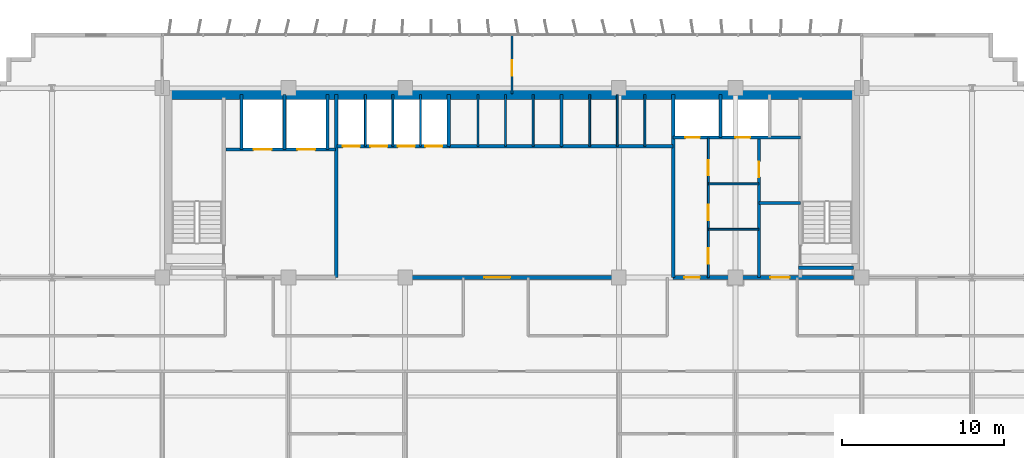
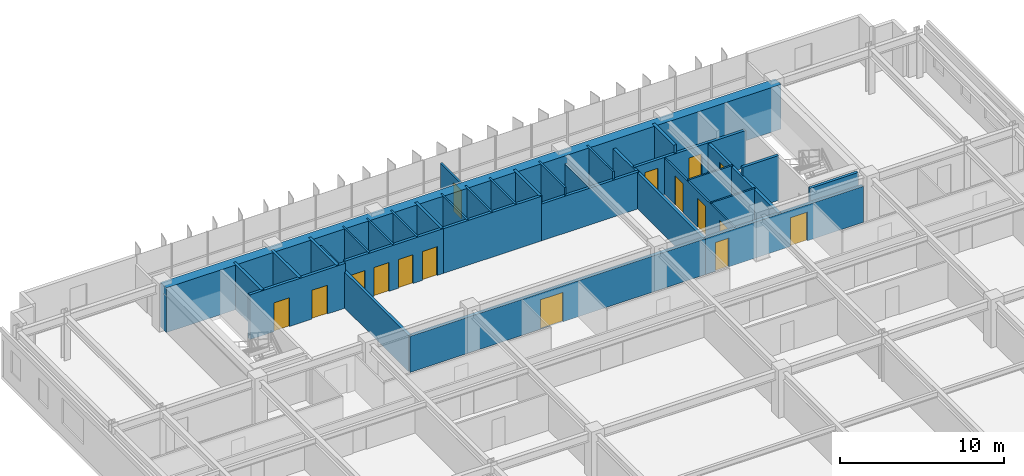
# One storey, part 17 of 21: 32 walls, 16 doors, 16 openings.
"""IFC4 building model written with IfcOpenShell, lengths in metres."""

from ifc_helpers import new_model, si_unit, direction, frame, frame_2d, origin, place, context, subcontext, project, spatial, rectangle, extrude, source, transform, mapped, material, layer, layer_set, type_object, element, fill, save


model = new_model("IFC4")

# Units and contexts
model_context = context("Model", 3, precision=1e-05, world=origin(), true_north=direction((0.0, 1.0)))
body_context = subcontext(model_context, "Body", "Model", "MODEL_VIEW")
ifc_project = project(units=[si_unit("LENGTHUNIT", "METRE"), si_unit("AREAUNIT", "SQUARE_METRE"), si_unit("VOLUMEUNIT", "CUBIC_METRE"), si_unit("PLANEANGLEUNIT", "RADIAN"), si_unit("MASSUNIT", "GRAM", prefix="KILO")], contexts=[model_context])

# Site, building, storey
site_placement = place(None, origin())
site = spatial("IfcSite", under=ifc_project, at=site_placement, CompositionType="ELEMENT")
building_placement = place(site_placement, origin())
building = spatial("IfcBuilding", under=site, at=building_placement, Name="Trelvane Seafront Commons", CompositionType="ELEMENT")
storey_placement = place(building_placement, frame((0.0, 0.0, 34.300048828125)))
storey = spatial("IfcBuildingStorey", under=building, at=storey_placement, Name="L08", CompositionType="ELEMENT", Elevation=34.300048828125)

# Wall, opening, door
ifc_material_1 = material(Name="Concrete C40/50", Category="concrete")
ifc_layer_1 = layer(ifc_material_1, 0.199951171875, Name="ARCH-WALL-FIRE200")
ifc_layer_set_1 = layer_set([ifc_layer_1], Name="Concrete C40/50")
wall_type_1 = type_object("IfcWallType", Name="ARCH-WALL-FIRE200", PredefinedType="PARTITIONING", material=ifc_layer_set_1)
wall_1_placement = place(storey_placement, frame((52.449951171875, 33.39990234375, 0.0), z_axis=(0.0, 0.0, 1.0), x_axis=(0.0, 1.0, 0.0)))
wall_1 = element("IfcWall", 1, at=wall_1_placement, inside=storey, type_object=wall_type_1, Name="W-L08-ST2V-W-033", PredefinedType="PARTITIONING", context=body_context, shape_type="SweptSolid", body=[
    extrude(rectangle(XDim=8.650146484375, YDim=0.199951171875, at=frame_2d((4.3251953125, 0.0))), origin(), (0.0, 0.0, 1.0), 2.68994140625),
])
opening_1_placement = place(wall_1_placement, frame((6.199951171875, 0.0, 0.0)))
opening_1 = element("IfcOpeningElement", 2, at=opening_1_placement, cuts=wall_1, Name="Opening FD-L08-13", PredefinedType="OPENING", context=body_context, shape_type="SweptSolid", body=[
    extrude(rectangle(XDim=0.949951171875, YDim=2.14990234375, at=frame_2d((0.47509765625, 1.074951171875))), frame((0.0, 0.10986328125, 0.0), z_axis=(0.0, -1.0, 0.0), x_axis=(1.0, 0.0, 0.0)), (0.0, 0.0, 1.0), 0.219970703125),
])
ifc_material_2 = material(Name="Powder-coated aluminium frame", Category="aluminium")
door_type_1 = type_object("IfcDoorType", Name="ARCH-DR-FD60-950", OperationType="NOTDEFINED", PredefinedType="DOOR", material=ifc_material_2)
shared_shape_1 = source(origin(), body_context, "Body", "SweptSolid", [
    extrude(rectangle(XDim=0.949951171875, YDim=2.14990234375, at=frame_2d((0.47509765625, 1.074951171875))), frame((0.0, 0.02490234375, 0.0), z_axis=(0.0, -1.0, 0.0), x_axis=(1.0, 0.0, 0.0)), (0.0, 0.0, 1.0), 0.050048828125),
])
door_1_placement = place(opening_1_placement, origin())
door_1 = element("IfcDoor", 3, at=door_1_placement, inside=storey, type_object=door_type_1, Name="L08 Cleaner Store Door", OperationType="SINGLE_SWING_LEFT", OverallHeight=2.14990234375, OverallWidth=0.949951171875, PredefinedType="DOOR", context=body_context, shape_type="MappedRepresentation", body=[
    mapped(shared_shape_1, transform((0.0, 0.0, 0.0), x_axis=(1.0, 0.0, 0.0), y_axis=(0.0, 1.0, 0.0), z_axis=(0.0, 0.0, 1.0), scale=1.0)),
])
fill(opening_1, door_1)

# Wall
wall_2_placement = place(storey_placement, frame((52.449951171875, 38.0, 0.0), z_axis=(0.0, 0.0, 1.0), x_axis=(1.0, 0.0, 0.0)))
element("IfcWall", 4, at=wall_2_placement, inside=storey, type_object=wall_type_1, Name="W-L08-ST2V-N-034", PredefinedType="PARTITIONING", context=body_context, shape_type="SweptSolid", body=[
    extrude(rectangle(XDim=2.550048828125, YDim=0.199951171875, at=frame_2d((1.27490234375, 0.0))), origin(), (0.0, 0.0, 1.0), 3.33984375),
])

# Wall, opening, door
ifc_layer_2 = layer(ifc_material_1, 0.25, Name="ARCH-WALL-FIRE250")
ifc_layer_set_2 = layer_set([ifc_layer_2], Name="Concrete C40/50")
wall_type_2 = type_object("IfcWallType", Name="ARCH-WALL-FIRE250", PredefinedType="PARTITIONING", material=ifc_layer_set_2)
wall_3_placement = place(storey_placement, frame((26.300048828125, 33.39990234375, 0.0), z_axis=(0.0, 0.0, 1.0), x_axis=(1.0, 0.0, 0.0)))
wall_3 = element("IfcWall", 5, at=wall_3_placement, inside=storey, type_object=wall_type_2, Name="W-L08-CS-PAX-029", PredefinedType="PARTITIONING", context=body_context, shape_type="SweptSolid", body=[
    extrude(rectangle(XDim=20.849853515625, YDim=0.25, at=frame_2d((10.4248046875, 0.0))), origin(), (0.0, 0.0, 1.0), 2.68994140625),
])
opening_2_placement = place(wall_3_placement, frame((9.199951171875, 0.0, 0.0)))
opening_2 = element("IfcOpeningElement", 6, at=opening_2_placement, cuts=wall_3, Name="Opening FD-L08-10", PredefinedType="OPENING", context=body_context, shape_type="SweptSolid", body=[
    extrude(rectangle(XDim=1.60009765625, YDim=2.199951171875, at=frame_2d((0.800048828125, 1.10009765625))), frame((0.0, 0.135009765625, 0.0), z_axis=(0.0, -1.0, 0.0), x_axis=(1.0, 0.0, 0.0)), (0.0, 0.0, 1.0), 0.27001953125),
])
door_type_2 = type_object("IfcDoorType", Name="ARCH-DR-FD60-1600", OperationType="DOUBLE_DOOR_SINGLE_SWING", PredefinedType="DOOR", material=ifc_material_2)
shared_shape_2 = source(origin(), body_context, "Body", "SweptSolid", [
    extrude(rectangle(XDim=1.60009765625, YDim=2.199951171875, at=frame_2d((0.800048828125, 1.10009765625))), frame((0.0, 0.02490234375, 0.0), z_axis=(0.0, -1.0, 0.0), x_axis=(1.0, 0.0, 0.0)), (0.0, 0.0, 1.0), 0.050048828125),
])
door_2_placement = place(opening_2_placement, origin())
door_2 = element("IfcDoor", 7, at=door_2_placement, inside=storey, type_object=door_type_2, Name="L08 Passenger Lift Lobby Double Door", OperationType="DOUBLE_DOOR_SINGLE_SWING", OverallHeight=2.199951171875, OverallWidth=1.60009765625, PredefinedType="DOOR", context=body_context, shape_type="MappedRepresentation", body=[
    mapped(shared_shape_2, transform((0.0, 0.0, 0.0), x_axis=(1.0, 0.0, 0.0), y_axis=(0.0, 1.0, 0.0), z_axis=(0.0, 0.0, 1.0), scale=1.0)),
])
fill(opening_2, door_2)

# Wall, openings, doors
wall_4_placement = place(storey_placement, frame((47.14990234375, 33.39990234375, 0.0), z_axis=(0.0, 0.0, 1.0), x_axis=(1.0, 0.0, 0.0)))
wall_4 = element("IfcWall", 8, at=wall_4_placement, inside=storey, type_object=wall_type_2, Name="W-L08-CS-EAST-038", PredefinedType="PARTITIONING", context=body_context, shape_type="SweptSolid", body=[
    extrude(rectangle(XDim=11.150146484375, YDim=0.25, at=frame_2d((5.5751953125, 0.0))), origin(), (0.0, 0.0, 1.0), 2.68994140625),
])
opening_3_placement = place(wall_4_placement, frame((0.699951171875, 0.0, 0.0)))
opening_3 = element("IfcOpeningElement", 9, at=opening_3_placement, cuts=wall_4, Name="Opening FD-L08-17", PredefinedType="OPENING", context=body_context, shape_type="SweptSolid", body=[
    extrude(rectangle(XDim=0.949951171875, YDim=2.14990234375, at=frame_2d((0.47509765625, 1.074951171875))), frame((0.0, 0.135009765625, 0.0), z_axis=(0.0, -1.0, 0.0), x_axis=(1.0, 0.0, 0.0)), (0.0, 0.0, 1.0), 0.27001953125),
])
opening_4_placement = place(wall_4_placement, frame((6.0, 0.0, 0.0)))
opening_4 = element("IfcOpeningElement", 10, at=opening_4_placement, cuts=wall_4, Name="Opening FD-L08-18", PredefinedType="OPENING", context=body_context, shape_type="SweptSolid", body=[
    extrude(rectangle(XDim=1.199951171875, YDim=2.14990234375, at=frame_2d((0.60009765625, 1.074951171875))), frame((0.0, 0.135009765625, 0.0), z_axis=(0.0, -1.0, 0.0), x_axis=(1.0, 0.0, 0.0)), (0.0, 0.0, 1.0), 0.27001953125),
])
door_3_placement = place(opening_3_placement, origin())
door_3 = element("IfcDoor", 11, at=door_3_placement, inside=storey, type_object=door_type_1, Name="L08 Core Service Lobby Door", OperationType="SINGLE_SWING_LEFT", OverallHeight=2.14990234375, OverallWidth=0.949951171875, PredefinedType="DOOR", context=body_context, shape_type="MappedRepresentation", body=[
    mapped(shared_shape_1, transform((0.0, 0.0, 0.0), x_axis=(1.0, 0.0, 0.0), y_axis=(0.0, 1.0, 0.0), z_axis=(0.0, 0.0, 1.0), scale=1.0)),
])
fill(opening_3, door_3)
door_type_3 = type_object("IfcDoorType", Name="ARCH-DR-FD60-1200", OperationType="NOTDEFINED", PredefinedType="DOOR", material=ifc_material_2)
shared_shape_3 = source(origin(), body_context, "Body", "SweptSolid", [
    extrude(rectangle(XDim=1.199951171875, YDim=2.14990234375, at=frame_2d((0.60009765625, 1.074951171875))), frame((0.0, 0.02490234375, 0.0), z_axis=(0.0, -1.0, 0.0), x_axis=(1.0, 0.0, 0.0)), (0.0, 0.0, 1.0), 0.050048828125),
])
door_4_placement = place(opening_4_placement, origin())
door_4 = element("IfcDoor", 12, at=door_4_placement, inside=storey, type_object=door_type_3, Name="L08 East Stair Vestibule Fire Door", OperationType="SINGLE_SWING_RIGHT", OverallHeight=2.14990234375, OverallWidth=1.199951171875, PredefinedType="DOOR", context=body_context, shape_type="MappedRepresentation", body=[
    mapped(shared_shape_3, transform((0.0, 0.0, 0.0), x_axis=(1.0, 0.0, 0.0), y_axis=(0.0, 1.0, 0.0), z_axis=(0.0, 0.0, 1.0), scale=1.0)),
])
fill(opening_4, door_4)

# Walls
ifc_material_3 = material(Name="Gypsum Drywall Acoustic Partition")
ifc_layer_3 = layer(ifc_material_3, 0.1201171875, Name="ARCH-WALL-PART120")
ifc_layer_set_3 = layer_set([ifc_layer_3], Name="Gypsum Drywall Acoustic Partition")
wall_type_3 = type_object("IfcWallType", Name="ARCH-WALL-PART120", PredefinedType="PARTITIONING", material=ifc_layer_set_3)
for number, where, z_axis, x_axis, name in (
    (13, (28.14990234375, 41.5, 0.0), (0.0, 0.0, 1.0), (0.0, 1.0, 0.0), "W-L08-PL-DIV1-016"),
    (14, (29.85009765625, 41.5, 0.0), (0.0, 0.0, 1.0), (0.0, 1.0, 0.0), "W-L08-PL-DIV2-017"),
    (15, (31.550048828125, 41.5, 0.0), (0.0, 0.0, 1.0), (0.0, 1.0, 0.0), "W-L08-PL-DIV3-018"),
    (16, (35.10009765625, 41.5, 0.0), (0.0, 0.0, 1.0), (0.0, 1.0, 0.0), "W-L08-PM-DIV1-020"),
    (17, (36.800048828125, 41.5, 0.0), (0.0, 0.0, 1.0), (0.0, 1.0, 0.0), "W-L08-PM-DIV2-021"),
    (18, (38.5, 41.5, 0.0), (0.0, 0.0, 1.0), (0.0, 1.0, 0.0), "W-L08-PM-DIV3-022"),
    (19, (42.0, 41.5, 0.0), (0.0, 0.0, 1.0), (0.0, 1.0, 0.0), "W-L08-PH-DIV1-025"),
):
    element("IfcWall", number, at=place(storey_placement, frame(where, z_axis=z_axis, x_axis=x_axis)), inside=storey, type_object=wall_type_3, Name=name, PredefinedType="PARTITIONING", context=body_context, shape_type="SweptSolid", body=[
        extrude(rectangle(XDim=3.199951171875, YDim=0.1201171875, at=frame_2d((1.60009765625, 0.0))), origin(), (0.0, 0.0, 1.0), 3.33984375),
    ])
wall_5_placement = place(storey_placement, frame((43.699951171875, 41.5, 0.0), z_axis=(0.0, 0.0, 1.0), x_axis=(0.0, 1.0, 0.0)))
element("IfcWall", 20, at=wall_5_placement, inside=storey, type_object=wall_type_3, Name="W-L08-PH-DIV2-026", PredefinedType="PARTITIONING", context=body_context, shape_type="SweptSolid", body=[
    extrude(rectangle(XDim=3.199951171875, YDim=0.1201171875, at=frame_2d((1.60009765625, 0.0))), origin(), (0.0, 0.0, 1.0), 2.751953125),
])
wall_6_placement = place(storey_placement, frame((45.39990234375, 41.5, 0.0), z_axis=(0.0, 0.0, 1.0), x_axis=(0.0, 1.0, 0.0)))
element("IfcWall", 21, at=wall_6_placement, inside=storey, type_object=wall_type_3, Name="W-L08-PH-DIV3-027", PredefinedType="PARTITIONING", context=body_context, shape_type="SweptSolid", body=[
    extrude(rectangle(XDim=3.199951171875, YDim=0.1201171875, at=frame_2d((1.60009765625, 0.0))), origin(), (0.0, 0.0, 1.0), 3.33984375),
])

# Wall, openings, doors
wall_7_placement = place(storey_placement, frame((49.320068359375, 33.39990234375, 0.0), z_axis=(0.0, 0.0, 1.0), x_axis=(0.0, 1.0, 0.0)))
wall_7 = element("IfcWall", 22, at=wall_7_placement, inside=storey, type_object=wall_type_3, Name="W-L08-CYC3-V-035", PredefinedType="PARTITIONING", context=body_context, shape_type="SweptSolid", body=[
    extrude(rectangle(XDim=8.60009765625, YDim=0.1201171875, at=frame_2d((4.300048828125, 0.0))), origin(), (0.0, 0.0, 1.0), 2.68994140625),
])
opening_5_placement = place(wall_7_placement, frame((0.85009765625, 0.0, 0.0)))
opening_5 = element("IfcOpeningElement", 23, at=opening_5_placement, cuts=wall_7, Name="Opening D-L08-14", PredefinedType="OPENING", context=body_context, shape_type="SweptSolid", body=[
    extrude(rectangle(XDim=0.949951171875, YDim=2.14990234375, at=frame_2d((0.47509765625, 1.074951171875))), frame((0.0, 0.070068359375, 0.0), z_axis=(0.0, -1.0, 0.0), x_axis=(1.0, 0.0, 0.0)), (0.0, 0.0, 1.0), 0.14013671875),
])
opening_6_placement = place(wall_7_placement, frame((3.550048828125, 0.0, 0.0)))
opening_6 = element("IfcOpeningElement", 24, at=opening_6_placement, cuts=wall_7, Name="Opening D-L08-15", PredefinedType="OPENING", context=body_context, shape_type="SweptSolid", body=[
    extrude(rectangle(XDim=0.949951171875, YDim=2.14990234375, at=frame_2d((0.47509765625, 1.074951171875))), frame((0.0, 0.070068359375, 0.0), z_axis=(0.0, -1.0, 0.0), x_axis=(1.0, 0.0, 0.0)), (0.0, 0.0, 1.0), 0.14013671875),
])
opening_7_placement = place(wall_7_placement, frame((6.300048828125, 0.0, 0.0)))
opening_7 = element("IfcOpeningElement", 25, at=opening_7_placement, cuts=wall_7, Name="Opening D-L08-16", PredefinedType="OPENING", context=body_context, shape_type="SweptSolid", body=[
    extrude(rectangle(XDim=0.949951171875, YDim=2.14990234375, at=frame_2d((0.47509765625, 1.074951171875))), frame((0.0, 0.070068359375, 0.0), z_axis=(0.0, -1.0, 0.0), x_axis=(1.0, 0.0, 0.0)), (0.0, 0.0, 1.0), 0.14013671875),
])
ifc_material_4 = material(Name="Acoustic timber door leaf", Category="wood")
door_type_4 = type_object("IfcDoorType", Name="ARCH-DR-INT950", OperationType="NOTDEFINED", PredefinedType="DOOR", material=ifc_material_4)
door_5_placement = place(opening_5_placement, origin())
door_5 = element("IfcDoor", 26, at=door_5_placement, inside=storey, type_object=door_type_4, Name="L08 Accessible WC Door", OperationType="SINGLE_SWING_RIGHT", OverallHeight=2.14990234375, OverallWidth=0.949951171875, PredefinedType="DOOR", context=body_context, shape_type="MappedRepresentation", body=[
    mapped(shared_shape_1, transform((0.0, 0.0, 0.0), x_axis=(1.0, 0.0, 0.0), y_axis=(0.0, 1.0, 0.0), z_axis=(0.0, 0.0, 1.0), scale=1.0)),
])
fill(opening_5, door_5)
door_6_placement = place(opening_6_placement, origin())
door_6 = element("IfcDoor", 27, at=door_6_placement, inside=storey, type_object=door_type_4, Name="L08 Staff WC Door", OperationType="SINGLE_SWING_LEFT", OverallHeight=2.14990234375, OverallWidth=0.949951171875, PredefinedType="DOOR", context=body_context, shape_type="MappedRepresentation", body=[
    mapped(shared_shape_1, transform((0.0, 0.0, 0.0), x_axis=(1.0, 0.0, 0.0), y_axis=(0.0, 1.0, 0.0), z_axis=(0.0, 0.0, 1.0), scale=1.0)),
])
fill(opening_6, door_6)
door_7_placement = place(opening_7_placement, origin())
door_7 = element("IfcDoor", 28, at=door_7_placement, inside=storey, type_object=door_type_4, Name="L08 Electrical Room Door", OperationType="SINGLE_SWING_RIGHT", OverallHeight=2.14990234375, OverallWidth=0.949951171875, PredefinedType="DOOR", context=body_context, shape_type="MappedRepresentation", body=[
    mapped(shared_shape_1, transform((0.0, 0.0, 0.0), x_axis=(1.0, 0.0, 0.0), y_axis=(0.0, 1.0, 0.0), z_axis=(0.0, 0.0, 1.0), scale=1.0)),
])
fill(opening_7, door_7)

# Walls
for number, where, z_axis, x_axis, name in (
    (29, (49.320068359375, 36.3798828125, 0.0), (0.0, 0.0, 1.0), (1.0, 0.0, 0.0), "W-L08-CYC3-H1-036"),
    (30, (49.320068359375, 39.179931640625, 0.0), (0.0, 0.0, 1.0), (1.0, 0.0, 0.0), "W-L08-CYC3-H2-037"),
):
    element("IfcWall", number, at=place(storey_placement, frame(where, z_axis=z_axis, x_axis=x_axis)), inside=storey, type_object=wall_type_3, Name=name, PredefinedType="PARTITIONING", context=body_context, shape_type="SweptSolid", body=[
        extrude(rectangle(XDim=3.1298828125, YDim=0.1201171875, at=frame_2d((1.56494140625, 0.0))), origin(), (0.0, 0.0, 1.0), 2.751953125),
    ])

# Wall, opening, door
wall_8_placement = place(storey_placement, frame((37.199951171875, 44.75, 0.0), z_axis=(0.0, 0.0, 1.0), x_axis=(0.0, 1.0, 0.0)))
wall_8 = element("IfcWall", 31, at=wall_8_placement, inside=storey, type_object=wall_type_3, Name="W-L08-N-MID-DV-052", PredefinedType="PARTITIONING", context=body_context, shape_type="SweptSolid", body=[
    extrude(rectangle(XDim=3.610107421875, YDim=0.1201171875, at=frame_2d((1.80517578125, 0.0))), origin(), (0.0, 0.0, 1.0), 2.68994140625),
])
opening_8_placement = place(wall_8_placement, frame((1.10009765625, 0.0, 0.0)))
opening_8 = element("IfcOpeningElement", 32, at=opening_8_placement, cuts=wall_8, Name="Opening D-L08-26", PredefinedType="OPENING", context=body_context, shape_type="SweptSolid", body=[
    extrude(rectangle(XDim=0.949951171875, YDim=2.14990234375, at=frame_2d((0.47509765625, 1.074951171875))), frame((0.0, 0.070068359375, 0.0), z_axis=(0.0, -1.0, 0.0), x_axis=(1.0, 0.0, 0.0)), (0.0, 0.0, 1.0), 0.14013671875),
])
door_8_placement = place(opening_8_placement, origin())
door_8 = element("IfcDoor", 33, at=door_8_placement, inside=storey, type_object=door_type_4, Name="L08 Door 26", OperationType="SINGLE_SWING_RIGHT", OverallHeight=2.14990234375, OverallWidth=0.949951171875, PredefinedType="DOOR", context=body_context, shape_type="MappedRepresentation", body=[
    mapped(shared_shape_1, transform((0.0, 0.0, 0.0), x_axis=(1.0, 0.0, 0.0), y_axis=(0.0, 1.0, 0.0), z_axis=(0.0, 0.0, 1.0), scale=1.0)),
])
fill(opening_8, door_8)

# Wall, openings, doors
ifc_layer_4 = layer(ifc_material_1, 0.199951171875, Name="ARCH-WALL-SHAFT200")
ifc_layer_set_4 = layer_set([ifc_layer_4], Name="Concrete C40/50")
wall_type_4 = type_object("IfcWallType", Name="ARCH-WALL-SHAFT200", PredefinedType="SOLIDWALL", material=ifc_layer_set_4)
wall_9_placement = place(storey_placement, frame((19.550048828125, 41.300048828125, 0.0), z_axis=(0.0, 0.0, 1.0), x_axis=(1.0, 0.0, 0.0)))
wall_9 = element("IfcWall", 34, at=wall_9_placement, inside=storey, type_object=wall_type_4, Name="W-L08-FFL-FRONT-008", PredefinedType="SOLIDWALL", context=body_context, shape_type="SweptSolid", body=[
    extrude(rectangle(XDim=6.75, YDim=0.199951171875, at=frame_2d((3.375, 0.0))), origin(), (0.0, 0.0, 1.0), 3.33984375),
])
opening_9_placement = place(wall_9_placement, frame((1.699951171875, 0.0, 0.0)))
opening_9 = element("IfcOpeningElement", 35, at=opening_9_placement, cuts=wall_9, Name="Opening LD-FF1-L08", PredefinedType="OPENING", context=body_context, shape_type="SweptSolid", body=[
    extrude(rectangle(XDim=1.10009765625, YDim=2.14990234375, at=frame_2d((0.550048828125, 1.074951171875))), frame((0.0, 0.10986328125, 0.0), z_axis=(0.0, -1.0, 0.0), x_axis=(1.0, 0.0, 0.0)), (0.0, 0.0, 1.0), 0.219970703125),
])
opening_10_placement = place(wall_9_placement, frame((4.39990234375, 0.0, 0.0)))
opening_10 = element("IfcOpeningElement", 36, at=opening_10_placement, cuts=wall_9, Name="Opening LD-FF2-L08", PredefinedType="OPENING", context=body_context, shape_type="SweptSolid", body=[
    extrude(rectangle(XDim=1.10009765625, YDim=2.14990234375, at=frame_2d((0.550048828125, 1.074951171875))), frame((0.0, 0.10986328125, 0.0), z_axis=(0.0, -1.0, 0.0), x_axis=(1.0, 0.0, 0.0)), (0.0, 0.0, 1.0), 0.219970703125),
])
ifc_material_5 = material(Name="Stainless steel balustrade", Category="steel")
door_type_5 = type_object("IfcDoorType", Name="ARCH-DR-LD1100", OperationType="DOUBLE_DOOR_SLIDING", PredefinedType="DOOR", material=ifc_material_5)
shared_shape_4 = source(origin(), body_context, "Body", "SweptSolid", [
    extrude(rectangle(XDim=1.10009765625, YDim=2.14990234375, at=frame_2d((0.550048828125, 1.074951171875))), frame((0.0, 0.02490234375, 0.0), z_axis=(0.0, -1.0, 0.0), x_axis=(1.0, 0.0, 0.0)), (0.0, 0.0, 1.0), 0.050048828125),
])
door_9_placement = place(opening_9_placement, origin())
door_9 = element("IfcDoor", 37, at=door_9_placement, inside=storey, type_object=door_type_5, Name="L08 Firefighting Lift FFL-1 Landing Door", OperationType="DOUBLE_DOOR_SLIDING", OverallHeight=2.14990234375, OverallWidth=1.10009765625, PredefinedType="DOOR", context=body_context, shape_type="MappedRepresentation", body=[
    mapped(shared_shape_4, transform((0.0, 0.0, 0.0), x_axis=(1.0, 0.0, 0.0), y_axis=(0.0, 1.0, 0.0), z_axis=(0.0, 0.0, 1.0), scale=1.0)),
])
fill(opening_9, door_9)
door_10_placement = place(opening_10_placement, origin())
door_10 = element("IfcDoor", 38, at=door_10_placement, inside=storey, type_object=door_type_5, Name="L08 Firefighting Lift FFL-2 Landing Door", OperationType="DOUBLE_DOOR_SLIDING", OverallHeight=2.14990234375, OverallWidth=1.10009765625, PredefinedType="DOOR", context=body_context, shape_type="MappedRepresentation", body=[
    mapped(shared_shape_4, transform((0.0, 0.0, 0.0), x_axis=(1.0, 0.0, 0.0), y_axis=(0.0, 1.0, 0.0), z_axis=(0.0, 0.0, 1.0), scale=1.0)),
])
fill(opening_10, door_10)

# Walls
for number, where, z_axis, x_axis, name in (
    (39, (20.5, 41.300048828125, 0.0), (0.0, 0.0, 1.0), (0.0, 1.0, 0.0), "W-L08-FFL-SH-W-009"),
    (40, (23.14990234375, 41.300048828125, 0.0), (0.0, 0.0, 1.0), (0.0, 1.0, 0.0), "W-L08-FFL-DIV-010"),
    (41, (25.800048828125, 41.300048828125, 0.0), (0.0, 0.0, 1.0), (0.0, 1.0, 0.0), "W-L08-FFL-SH-E-011"),
):
    element("IfcWall", number, at=place(storey_placement, frame(where, z_axis=z_axis, x_axis=x_axis)), inside=storey, type_object=wall_type_4, Name=name, PredefinedType="SOLIDWALL", context=body_context, shape_type="SweptSolid", body=[
        extrude(rectangle(XDim=3.39990234375, YDim=0.199951171875, at=frame_2d((1.699951171875, 0.0))), origin(), (0.0, 0.0, 1.0), 3.33984375),
    ])
wall_10_placement = place(storey_placement, frame((26.35009765625, 33.39990234375, 0.0), z_axis=(0.0, 0.0, 1.0), x_axis=(0.0, 1.0, 0.0)))
element("IfcWall", 42, at=wall_10_placement, inside=storey, type_object=wall_type_4, Name="W-L08-FFL-EAST-012", PredefinedType="SOLIDWALL", context=body_context, shape_type="SweptSolid", body=[
    extrude(rectangle(XDim=11.300048828125, YDim=0.199951171875, at=frame_2d((5.64990234375, 0.0))), origin(), (0.0, 0.0, 1.0), 2.68994140625),
])

# Wall, openings, doors
wall_11_placement = place(storey_placement, frame((26.39990234375, 41.5, 0.0), z_axis=(0.0, 0.0, 1.0), x_axis=(1.0, 0.0, 0.0)))
wall_11 = element("IfcWall", 43, at=wall_11_placement, inside=storey, type_object=wall_type_4, Name="W-L08-PL-FRONT-014", PredefinedType="SOLIDWALL", context=body_context, shape_type="SweptSolid", body=[
    extrude(rectangle(XDim=6.9501953125, YDim=0.199951171875, at=frame_2d((3.47509765625, 0.0))), origin(), (0.0, 0.0, 1.0), 3.33984375),
])
opening_11_placement = place(wall_11_placement, frame((0.35009765625, 0.0, 0.0)))
opening_11 = element("IfcOpeningElement", 44, at=opening_11_placement, cuts=wall_11, Name="Opening LD-PL1-L08", PredefinedType="OPENING", context=body_context, shape_type="SweptSolid", body=[
    extrude(rectangle(XDim=1.050048828125, YDim=2.14990234375, at=frame_2d((0.52490234375, 1.074951171875))), frame((0.0, 0.10986328125, 0.0), z_axis=(0.0, -1.0, 0.0), x_axis=(1.0, 0.0, 0.0)), (0.0, 0.0, 1.0), 0.219970703125),
])
opening_12_placement = place(wall_11_placement, frame((2.050048828125, 0.0, 0.0)))
opening_12 = element("IfcOpeningElement", 45, at=opening_12_placement, cuts=wall_11, Name="Opening LD-PL2-L08", PredefinedType="OPENING", context=body_context, shape_type="SweptSolid", body=[
    extrude(rectangle(XDim=1.050048828125, YDim=2.14990234375, at=frame_2d((0.52490234375, 1.074951171875))), frame((0.0, 0.10986328125, 0.0), z_axis=(0.0, -1.0, 0.0), x_axis=(1.0, 0.0, 0.0)), (0.0, 0.0, 1.0), 0.219970703125),
])
opening_13_placement = place(wall_11_placement, frame((3.75, 0.0, 0.0)))
opening_13 = element("IfcOpeningElement", 46, at=opening_13_placement, cuts=wall_11, Name="Opening LD-PL3-L08", PredefinedType="OPENING", context=body_context, shape_type="SweptSolid", body=[
    extrude(rectangle(XDim=1.050048828125, YDim=2.14990234375, at=frame_2d((0.52490234375, 1.074951171875))), frame((0.0, 0.10986328125, 0.0), z_axis=(0.0, -1.0, 0.0), x_axis=(1.0, 0.0, 0.0)), (0.0, 0.0, 1.0), 0.219970703125),
])
opening_14_placement = place(wall_11_placement, frame((5.449951171875, 0.0, 0.0)))
opening_14 = element("IfcOpeningElement", 47, at=opening_14_placement, cuts=wall_11, Name="Opening LD-PL4-L08", PredefinedType="OPENING", context=body_context, shape_type="SweptSolid", body=[
    extrude(rectangle(XDim=1.050048828125, YDim=2.14990234375, at=frame_2d((0.52490234375, 1.074951171875))), frame((0.0, 0.10986328125, 0.0), z_axis=(0.0, -1.0, 0.0), x_axis=(1.0, 0.0, 0.0)), (0.0, 0.0, 1.0), 0.219970703125),
])
door_type_6 = type_object("IfcDoorType", Name="ARCH-DR-LD1050", OperationType="DOUBLE_DOOR_SLIDING", PredefinedType="DOOR", material=ifc_material_5)
shared_shape_5 = source(origin(), body_context, "Body", "SweptSolid", [
    extrude(rectangle(XDim=1.050048828125, YDim=2.14990234375, at=frame_2d((0.52490234375, 1.074951171875))), frame((0.0, 0.02490234375, 0.0), z_axis=(0.0, -1.0, 0.0), x_axis=(1.0, 0.0, 0.0)), (0.0, 0.0, 1.0), 0.050048828125),
])
door_11_placement = place(opening_11_placement, origin())
door_11 = element("IfcDoor", 48, at=door_11_placement, inside=storey, type_object=door_type_6, Name="L08 Passenger Lift PL-1 Landing Door", OperationType="DOUBLE_DOOR_SLIDING", OverallHeight=2.14990234375, OverallWidth=1.050048828125, PredefinedType="DOOR", context=body_context, shape_type="MappedRepresentation", body=[
    mapped(shared_shape_5, transform((0.0, 0.0, 0.0), x_axis=(1.0, 0.0, 0.0), y_axis=(0.0, 1.0, 0.0), z_axis=(0.0, 0.0, 1.0), scale=1.0)),
])
fill(opening_11, door_11)
door_12_placement = place(opening_12_placement, origin())
door_12 = element("IfcDoor", 49, at=door_12_placement, inside=storey, type_object=door_type_6, Name="L08 Passenger Lift PL-2 Landing Door", OperationType="DOUBLE_DOOR_SLIDING", OverallHeight=2.14990234375, OverallWidth=1.050048828125, PredefinedType="DOOR", context=body_context, shape_type="MappedRepresentation", body=[
    mapped(shared_shape_5, transform((0.0, 0.0, 0.0), x_axis=(1.0, 0.0, 0.0), y_axis=(0.0, 1.0, 0.0), z_axis=(0.0, 0.0, 1.0), scale=1.0)),
])
fill(opening_12, door_12)
door_13_placement = place(opening_13_placement, origin())
door_13 = element("IfcDoor", 50, at=door_13_placement, inside=storey, type_object=door_type_6, Name="L08 Passenger Lift PL-3 Landing Door", OperationType="DOUBLE_DOOR_SLIDING", OverallHeight=2.14990234375, OverallWidth=1.050048828125, PredefinedType="DOOR", context=body_context, shape_type="MappedRepresentation", body=[
    mapped(shared_shape_5, transform((0.0, 0.0, 0.0), x_axis=(1.0, 0.0, 0.0), y_axis=(0.0, 1.0, 0.0), z_axis=(0.0, 0.0, 1.0), scale=1.0)),
])
fill(opening_13, door_13)
door_14_placement = place(opening_14_placement, origin())
door_14 = element("IfcDoor", 51, at=door_14_placement, inside=storey, type_object=door_type_6, Name="L08 Passenger Lift PL-4 Landing Door", OperationType="DOUBLE_DOOR_SLIDING", OverallHeight=2.14990234375, OverallWidth=1.050048828125, PredefinedType="DOOR", context=body_context, shape_type="MappedRepresentation", body=[
    mapped(shared_shape_5, transform((0.0, 0.0, 0.0), x_axis=(1.0, 0.0, 0.0), y_axis=(0.0, 1.0, 0.0), z_axis=(0.0, 0.0, 1.0), scale=1.0)),
])
fill(opening_14, door_14)

# Walls
wall_12_placement = place(storey_placement, frame((33.300048828125, 41.5, 0.0), z_axis=(0.0, 0.0, 1.0), x_axis=(0.0, 1.0, 0.0)))
element("IfcWall", 52, at=wall_12_placement, inside=storey, type_object=wall_type_4, Name="W-L08-PL-EAST-SH-015", PredefinedType="SOLIDWALL", context=body_context, shape_type="SweptSolid", body=[
    extrude(rectangle(XDim=3.199951171875, YDim=0.199951171875, at=frame_2d((1.60009765625, 0.0))), origin(), (0.0, 0.0, 1.0), 3.33984375),
])
wall_13_placement = place(storey_placement, frame((33.35009765625, 41.5, 0.0), z_axis=(0.0, 0.0, 1.0), x_axis=(1.0, 0.0, 0.0)))
element("IfcWall", 53, at=wall_13_placement, inside=storey, type_object=wall_type_4, Name="W-L08-PM-FRONT-019", PredefinedType="SOLIDWALL", context=body_context, shape_type="SweptSolid", body=[
    extrude(rectangle(XDim=6.89990234375, YDim=0.199951171875, at=frame_2d((3.449951171875, 0.0))), origin(), (0.0, 0.0, 1.0), 3.33984375),
])
wall_14_placement = place(storey_placement, frame((40.25, 41.5, 0.0), z_axis=(0.0, 0.0, 1.0), x_axis=(1.0, 0.0, 0.0)))
element("IfcWall", 54, at=wall_14_placement, inside=storey, type_object=wall_type_4, Name="W-L08-PH-FRONT-023", PredefinedType="SOLIDWALL", context=body_context, shape_type="SweptSolid", body=[
    extrude(rectangle(XDim=6.89990234375, YDim=0.199951171875, at=frame_2d((3.449951171875, 0.0))), origin(), (0.0, 0.0, 1.0), 2.751953125),
])
wall_15_placement = place(storey_placement, frame((40.25, 41.5, 0.0), z_axis=(0.0, 0.0, 1.0), x_axis=(0.0, 1.0, 0.0)))
element("IfcWall", 55, at=wall_15_placement, inside=storey, type_object=wall_type_4, Name="W-L08-PH-WEST-SH-024", PredefinedType="SOLIDWALL", context=body_context, shape_type="SweptSolid", body=[
    extrude(rectangle(XDim=3.199951171875, YDim=0.199951171875, at=frame_2d((1.60009765625, 0.0))), origin(), (0.0, 0.0, 1.0), 3.33984375),
])
wall_16_placement = place(storey_placement, frame((47.14990234375, 33.39990234375, 0.0), z_axis=(0.0, 0.0, 1.0), x_axis=(0.0, 1.0, 0.0)))
element("IfcWall", 56, at=wall_16_placement, inside=storey, type_object=wall_type_4, Name="W-L08-PH-EAST-028", PredefinedType="SOLIDWALL", context=body_context, shape_type="SweptSolid", body=[
    extrude(rectangle(XDim=11.300048828125, YDim=0.199951171875, at=frame_2d((5.64990234375, 0.0))), origin(), (0.0, 0.0, 1.0), 2.68994140625),
])

# Wall, openings, doors
wall_17_placement = place(storey_placement, frame((47.14990234375, 42.050048828125, 0.0), z_axis=(0.0, 0.0, 1.0), x_axis=(1.0, 0.0, 0.0)))
wall_17 = element("IfcWall", 57, at=wall_17_placement, inside=storey, type_object=wall_type_4, Name="W-L08-RSR-S-030", PredefinedType="SOLIDWALL", context=body_context, shape_type="SweptSolid", body=[
    extrude(rectangle(XDim=7.85009765625, YDim=0.199951171875, at=frame_2d((3.925048828125, 0.0))), origin(), (0.0, 0.0, 1.0), 2.751953125),
])
opening_15_placement = place(wall_17_placement, frame((0.75, 0.0, 0.0)))
opening_15 = element("IfcOpeningElement", 58, at=opening_15_placement, cuts=wall_17, Name="Opening FD-L08-11", PredefinedType="OPENING", context=body_context, shape_type="SweptSolid", body=[
    extrude(rectangle(XDim=0.89990234375, YDim=2.10009765625, at=frame_2d((0.449951171875, 1.050048828125))), frame((0.0, 0.10986328125, 0.0), z_axis=(0.0, -1.0, 0.0), x_axis=(1.0, 0.0, 0.0)), (0.0, 0.0, 1.0), 0.219970703125),
])
opening_16_placement = place(wall_17_placement, frame((3.85009765625, 0.0, 0.0)))
opening_16 = element("IfcOpeningElement", 59, at=opening_16_placement, cuts=wall_17, Name="Opening FD-L08-12", PredefinedType="OPENING", context=body_context, shape_type="SweptSolid", body=[
    extrude(rectangle(XDim=0.89990234375, YDim=2.10009765625, at=frame_2d((0.449951171875, 1.050048828125))), frame((0.0, 0.10986328125, 0.0), z_axis=(0.0, -1.0, 0.0), x_axis=(1.0, 0.0, 0.0)), (0.0, 0.0, 1.0), 0.219970703125),
])
door_type_7 = type_object("IfcDoorType", Name="ARCH-DR-FD60-900", OperationType="NOTDEFINED", PredefinedType="DOOR", material=ifc_material_2)
shared_shape_6 = source(origin(), body_context, "Body", "SweptSolid", [
    extrude(rectangle(XDim=0.89990234375, YDim=2.10009765625, at=frame_2d((0.449951171875, 1.050048828125))), frame((0.0, 0.02490234375, 0.0), z_axis=(0.0, -1.0, 0.0), x_axis=(1.0, 0.0, 0.0)), (0.0, 0.0, 1.0), 0.050048828125),
])
door_15_placement = place(opening_15_placement, origin())
door_15 = element("IfcDoor", 60, at=door_15_placement, inside=storey, type_object=door_type_7, Name="L08 Electrical Riser Access Door", OperationType="SINGLE_SWING_LEFT", OverallHeight=2.10009765625, OverallWidth=0.89990234375, PredefinedType="DOOR", context=body_context, shape_type="MappedRepresentation", body=[
    mapped(shared_shape_6, transform((0.0, 0.0, 0.0), x_axis=(1.0, 0.0, 0.0), y_axis=(0.0, 1.0, 0.0), z_axis=(0.0, 0.0, 1.0), scale=1.0)),
])
fill(opening_15, door_15)
door_16_placement = place(opening_16_placement, origin())
door_16 = element("IfcDoor", 61, at=door_16_placement, inside=storey, type_object=door_type_7, Name="L08 Mechanical Riser Access Door", OperationType="SINGLE_SWING_RIGHT", OverallHeight=2.10009765625, OverallWidth=0.89990234375, PredefinedType="DOOR", context=body_context, shape_type="MappedRepresentation", body=[
    mapped(shared_shape_6, transform((0.0, 0.0, 0.0), x_axis=(1.0, 0.0, 0.0), y_axis=(0.0, 1.0, 0.0), z_axis=(0.0, 0.0, 1.0), scale=1.0)),
])
fill(opening_16, door_16)

# Walls
wall_18_placement = place(storey_placement, frame((50.080078125, 42.050048828125, 0.0), z_axis=(0.0, 0.0, 1.0), x_axis=(0.0, 1.0, 0.0)))
element("IfcWall", 62, at=wall_18_placement, inside=storey, type_object=wall_type_4, Name="W-L08-RSR-DIV-031", PredefinedType="SOLIDWALL", context=body_context, shape_type="SweptSolid", body=[
    extrude(rectangle(XDim=2.64990234375, YDim=0.199951171875, at=frame_2d((1.324951171875, 0.0))), origin(), (0.0, 0.0, 1.0), 3.33984375),
])
ifc_material_6 = material(Name="Concrete C60/75", Category="concrete")
ifc_layer_5 = layer(ifc_material_6, 0.699951171875, Name="STR-WALL-CORE700")
ifc_layer_set_5 = layer_set([ifc_layer_5], Name="Concrete C60/75")
wall_type_5 = type_object("IfcWallType", Name="STR-WALL-CORE700", PredefinedType="SHEAR", material=ifc_layer_set_5)
wall_19_placement = place(storey_placement, frame((15.5, 44.75, 0.0), z_axis=(0.0, 0.0, 1.0), x_axis=(1.0, 0.0, 0.0)))
element("IfcWall", 63, at=wall_19_placement, inside=storey, type_object=wall_type_5, Name="W-L08-CN-ALL-001", PredefinedType="SHEAR", context=body_context, shape_type="SweptSolid", body=[
    extrude(rectangle(XDim=43.39990234375, YDim=0.699951171875, at=frame_2d((21.699951171875, 0.0))), origin(), (0.0, 0.0, 1.0), 3.33984375),
])
ifc_material_7 = material(Name="Concrete C50/60", Category="concrete")
ifc_layer_6 = layer(ifc_material_7, 0.199951171875, Name="STR-WALL-STAIR200")
ifc_layer_set_6 = layer_set([ifc_layer_6], Name="Concrete C50/60")
wall_type_6 = type_object("IfcWallType", Name="STR-WALL-STAIR200", PredefinedType="SHEAR", material=ifc_layer_set_6)
wall_20_placement = place(storey_placement, frame((54.89990234375, 34.0, 0.0), z_axis=(0.0, 0.0, 1.0), x_axis=(1.0, 0.0, 0.0)))
element("IfcWall", 64, at=wall_20_placement, inside=storey, type_object=wall_type_6, Name="W-L08-ST2-S-006", PredefinedType="SHEAR", context=body_context, shape_type="SweptSolid", body=[
    extrude(rectangle(XDim=3.400146484375, YDim=0.199951171875, at=frame_2d((1.7001953125, 0.0))), origin(), (0.0, 0.0, 1.0), 3.33984375),
])

save(model, "model.ifc")
